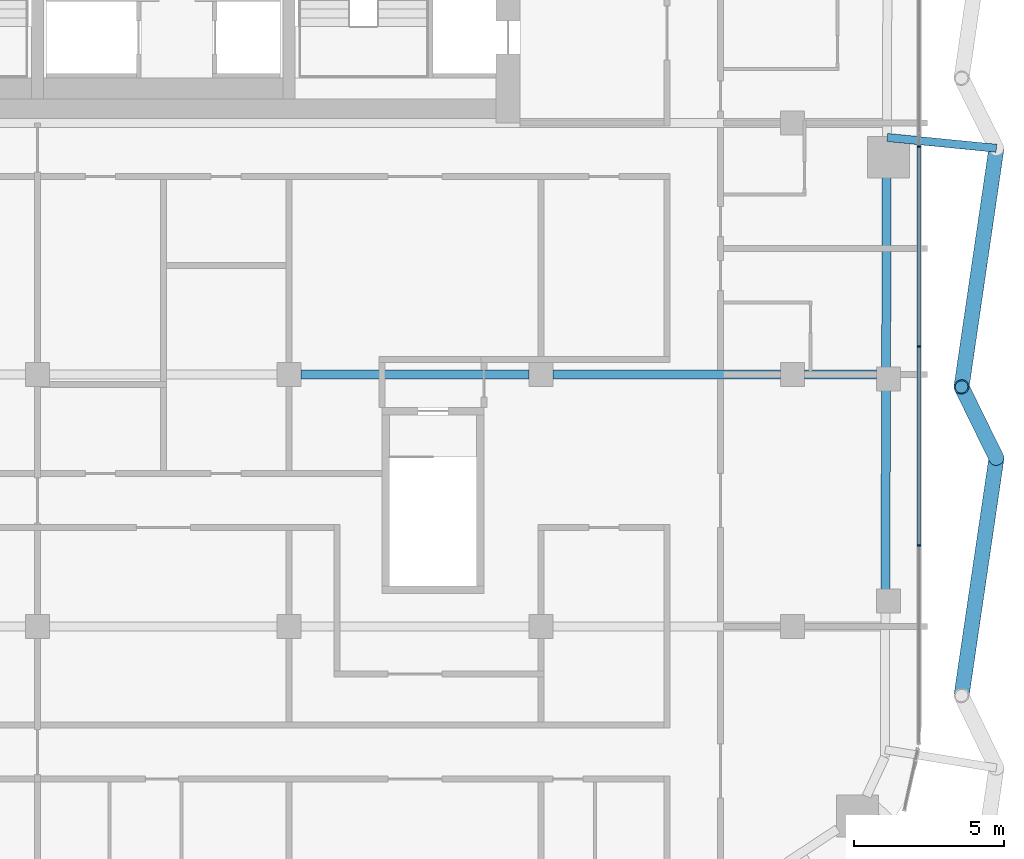
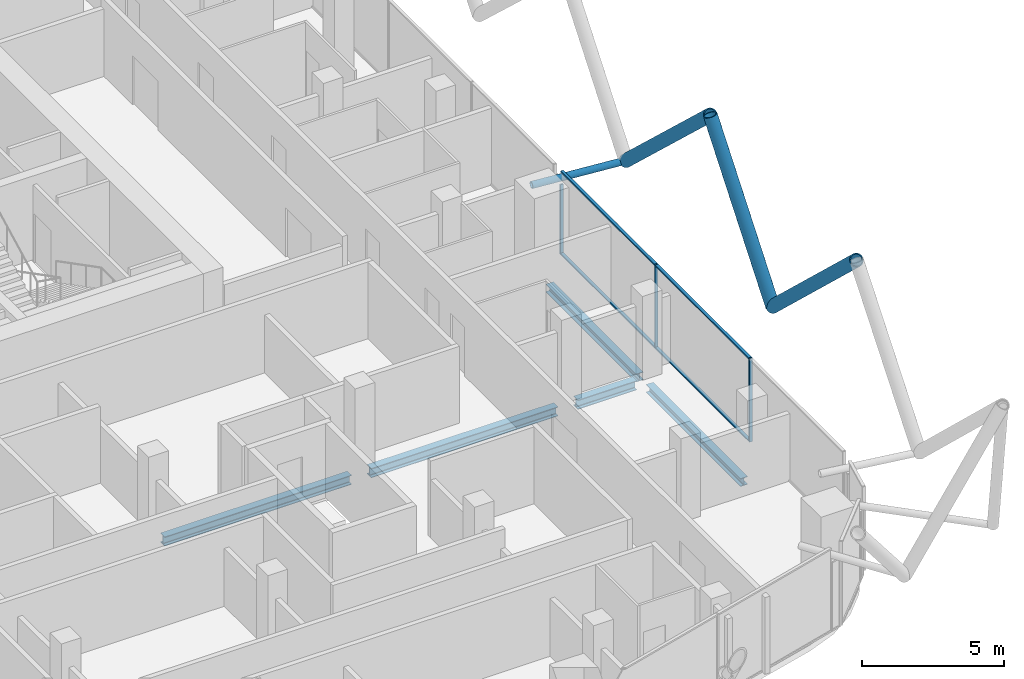
# One storey, part 7 of 33: 11 members, 5 beams, 2 elements without a shape of their own.
"""IFC4 building model written with IfcOpenShell, lengths in metres."""

from ifc_helpers import new_model, si_unit, direction, frame, origin, origin_2d, place, context, subcontext, project, spatial, rectangle, hollow_circle, i_section, extrude, material, layer, layer_set, material_profile, profile_set, type_object, element, aggregate, save


model = new_model("IFC4")

# Units and contexts
model_context = context("Model", 3, precision=1e-05, world=origin(), true_north=direction((0.0, 1.0)))
body_context = subcontext(model_context, "Body", "Model", "MODEL_VIEW")
ifc_project = project(units=[si_unit("LENGTHUNIT", "METRE"), si_unit("AREAUNIT", "SQUARE_METRE"), si_unit("VOLUMEUNIT", "CUBIC_METRE"), si_unit("PLANEANGLEUNIT", "RADIAN"), si_unit("MASSUNIT", "GRAM", prefix="KILO")], contexts=[model_context])

# Site, building, storey
site_placement = place(None, origin())
site = spatial("IfcSite", under=ifc_project, at=site_placement, CompositionType="ELEMENT")
building_placement = place(site_placement, origin())
building = spatial("IfcBuilding", under=site, at=building_placement, Name="Marenta Gate Hotel Tower", CompositionType="ELEMENT")
storey_placement = place(building_placement, frame((0.0, 0.0, 248.89990234375)))
storey = spatial("IfcBuildingStorey", under=building, at=storey_placement, Name="L59", CompositionType="ELEMENT", Elevation=248.89990234375)

# Members
ifc_material_1 = material(Name="Steel S355J2W", Category="steel")
ifc_material_profile_1 = material_profile(ifc_material_1, hollow_circle(Radius=0.25390625, WallThickness=0.0400390625, at=origin_2d()), Name="CHS 508x40")
ifc_profile_set_1 = profile_set([ifc_material_profile_1], Name="Steel S355J2W")
member_type_1 = type_object("IfcMemberType", Name="Diagrid diagonal T3 CHS 508x40", PredefinedType="BRACE", material=ifc_profile_set_1)
member_1_placement = place(storey_placement, frame((27.800048828125, -0.85009765625, 3.14013671875), z_axis=(-0.10789052731, -0.737417736538, 0.666764363142), x_axis=(0.989465728106, -0.144767306062, 0.0)))
element("IfcMember", 1, at=member_1_placement, inside=storey, type_object=member_type_1, Name="L59-DG-6", PredefinedType="BRACE", context=body_context, shape_type="SweptSolid", body=[
    extrude(hollow_circle(Radius=0.25390625, WallThickness=0.0400390625, at=origin_2d()), origin(), (0.0, 0.0, 1.0), 10.79833984375),
])
member_2_placement = place(storey_placement, frame((27.800048828125, -11.190185546875, 3.14013671875), z_axis=(-0.151871336562, 0.30988499667, 0.938566132976), x_axis=(-0.89795859702, -0.440079945053, 0.0)))
element("IfcMember", 2, at=member_2_placement, inside=storey, type_object=member_type_1, Name="L59-DG-7", PredefinedType="BRACE", context=body_context, shape_type="SweptSolid", body=[
    extrude(hollow_circle(Radius=0.25390625, WallThickness=0.0400390625, at=origin_2d()), origin(), (0.0, 0.0, 1.0), 7.671142578125),
])
member_3_placement = place(storey_placement, frame((27.800048828125, -11.190185546875, 3.14013671875), z_axis=(-0.108191409694, -0.735687982643, 0.668623818797), x_axis=(0.989358748109, -0.145496623809, 0.0)))
element("IfcMember", 3, at=member_3_placement, inside=storey, type_object=member_type_1, Name="L59-DG-8", PredefinedType="BRACE", context=body_context, shape_type="SweptSolid", body=[
    extrude(hollow_circle(Radius=0.25390625, WallThickness=0.0400390625, at=origin_2d()), origin(), (0.0, 0.0, 1.0), 10.768310546875),
])

# Beams
ifc_material_2 = material(Name="Steel S355", Category="steel")
ifc_material_profile_2 = material_profile(ifc_material_2, i_section(OverallWidth=0.300048828125, OverallDepth=0.340087890625, WebThickness=0.011962890625, FlangeThickness=0.021484375, FilletRadius=0.027099609375, at=origin_2d()), Name="HEB 340")
ifc_profile_set_2 = profile_set([ifc_material_profile_2], Name="Steel S355")
beam_type_1 = type_object("IfcBeamType", Name="Edge beam HEB 340", PredefinedType="SPANDREL", material=ifc_profile_set_2)
beam_1_placement = place(storey_placement, frame((24.1396484375, -1.81005859375, -0.429931640625), z_axis=(-0.003328723523, -0.999994459785, 0.0), x_axis=(0.999994459785, -0.003328723523, 0.0)))
element("IfcBeam", 4, at=beam_1_placement, inside=storey, type_object=beam_type_1, Name="L59-EB-25", PredefinedType="SPANDREL", context=body_context, shape_type="SweptSolid", body=[
    extrude(i_section(OverallWidth=0.300048828125, OverallDepth=0.340087890625, WebThickness=0.011962890625, FlangeThickness=0.021484375, FilletRadius=0.027099609375, at=origin_2d()), origin(), (0.0, 0.0, 1.0), 6.380859375),
])
beam_2_placement = place(storey_placement, frame((24.115966796875, -8.910888671875, -0.429931640625), z_axis=(-0.00332539729, -0.999994470851, 0.0), x_axis=(0.999994470851, -0.00332539729, 0.0)))
element("IfcBeam", 5, at=beam_2_placement, inside=storey, type_object=beam_type_1, Name="L59-EB-26", PredefinedType="SPANDREL", context=body_context, shape_type="SweptSolid", body=[
    extrude(i_section(OverallWidth=0.300048828125, OverallDepth=0.340087890625, WebThickness=0.011962890625, FlangeThickness=0.021484375, FilletRadius=0.027099609375, at=origin_2d()), origin(), (0.0, 0.0, 1.0), 6.680908203125),
])

# Member
ifc_material_3 = material(Name="Steel S355J2W", Category="steel")
ifc_material_profile_3 = material_profile(ifc_material_3, hollow_circle(Radius=0.136474609375, WallThickness=0.012451171875, at=origin_2d()), Name="CHS 273x12.5")
ifc_profile_set_3 = profile_set([ifc_material_profile_3], Name="Steel S355J2W")
member_type_2 = type_object("IfcMemberType", Name="Floor tie CHS 273x12.5", PredefinedType="STRUT", material=ifc_profile_set_3)
member_4_placement = place(storey_placement, frame((27.800048828125, -0.85009765625, 3.14013671875), z_axis=(-0.995184080889, 0.09802369685, 0.0), x_axis=(-0.09802369685, -0.995184080889, 0.0)))
element("IfcMember", 6, at=member_4_placement, inside=storey, type_object=member_type_2, Name="L59-DR-9", PredefinedType="STRUT", context=body_context, shape_type="SweptSolid", body=[
    extrude(hollow_circle(Radius=0.136474609375, WallThickness=0.012451171875, at=origin_2d()), origin(), (0.0, 0.0, 1.0), 3.65869140625),
])

# Beams
ifc_material_4 = material(Name="Steel S355", Category="steel")
ifc_material_profile_4 = material_profile(ifc_material_4, i_section(OverallWidth=0.300048828125, OverallDepth=0.39990234375, WebThickness=0.013427734375, FlangeThickness=0.02392578125, FilletRadius=0.027099609375, at=origin_2d()), Name="HEB 400")
ifc_profile_set_4 = profile_set([ifc_material_profile_4], Name="Steel S355")
beam_type_2 = type_object("IfcBeamType", Name="Girder HEB 400", PredefinedType="BEAM", material=ifc_profile_set_4)
beam_3_placement = place(storey_placement, frame((4.60009765625, -8.39990234375, -0.4599609375), z_axis=(1.0, 0.0, 0.0), x_axis=(0.0, 1.0, 0.0)))
element("IfcBeam", 7, at=beam_3_placement, inside=storey, type_object=beam_type_2, Name="L59-GD-17", PredefinedType="BEAM", context=body_context, shape_type="SweptSolid", body=[
    extrude(i_section(OverallWidth=0.300048828125, OverallDepth=0.39990234375, WebThickness=0.013427734375, FlangeThickness=0.02392578125, FilletRadius=0.027099609375, at=origin_2d()), origin(), (0.0, 0.0, 1.0), 7.599853515625),
])
beam_4_placement = place(storey_placement, frame((13.0, -8.39990234375, -0.4599609375), z_axis=(1.0, 0.0, 0.0), x_axis=(0.0, 1.0, 0.0)))
element("IfcBeam", 8, at=beam_4_placement, inside=storey, type_object=beam_type_2, Name="L59-GD-18", PredefinedType="BEAM", context=body_context, shape_type="SweptSolid", body=[
    extrude(i_section(OverallWidth=0.300048828125, OverallDepth=0.39990234375, WebThickness=0.013427734375, FlangeThickness=0.02392578125, FilletRadius=0.027099609375, at=origin_2d()), origin(), (0.0, 0.0, 1.0), 7.60009765625),
])
beam_5_placement = place(storey_placement, frame((21.39990234375, -8.39990234375, -0.4599609375), z_axis=(1.0, 0.0, 0.0), x_axis=(0.0, 1.0, 0.0)))
element("IfcBeam", 9, at=beam_5_placement, inside=storey, type_object=beam_type_2, Name="L59-GD-19", PredefinedType="BEAM", context=body_context, shape_type="SweptSolid", body=[
    extrude(i_section(OverallWidth=0.300048828125, OverallDepth=0.39990234375, WebThickness=0.013427734375, FlangeThickness=0.02392578125, FilletRadius=0.027099609375, at=origin_2d()), origin(), (0.0, 0.0, 1.0), 2.400146484375),
])

# Curtain wall, members
ifc_material_5 = material(Name="Tinted insulated glass in bronze anodised frame", Category="glass")
ifc_layer = layer(ifc_material_5, 0.1201171875)
ifc_layer_set = layer_set([ifc_layer], Name="Tinted insulated glass in bronze anodised frame")
curtain_wall_type = type_object("IfcCurtainWallType", Name="Tower unitised curtain wall CW1", PredefinedType="NOTDEFINED", material=ifc_layer_set)
curtain_wall_1_placement = place(storey_placement, origin())
curtain_wall_1 = element("IfcCurtainWall", 10, at=curtain_wall_1_placement, inside=storey, type_object=curtain_wall_type, Name="CW1 run G32", PredefinedType="NOTDEFINED")
ifc_material_6 = material(Name="Bronze anodised aluminium", Category="aluminium")
ifc_material_profile_5 = material_profile(ifc_material_6, rectangle(XDim=0.1201171875, YDim=0.06005859375, at=origin_2d()), Name="Mullion CW1 60x120 bronze anodised aluminium")
ifc_profile_set_5 = profile_set([ifc_material_profile_5], Name="Bronze anodised aluminium")
member_type_3 = type_object("IfcMemberType", Name="Mullion CW1 60x120 bronze anodised aluminium", PredefinedType="MULLION", material=ifc_profile_set_5)
member_5_placement = place(storey_placement, frame((25.214111328125, -14.103515625, 0.0), z_axis=(0.0, 0.0, 1.0), x_axis=(-1.0, 0.0, 0.0)))
member_5 = element("IfcMember", 11, at=member_5_placement, type_object=member_type_3, Name="CW1 mullion 2", PredefinedType="MULLION", context=body_context, shape_type="SweptSolid", body=[
    extrude(rectangle(XDim=0.1201171875, YDim=0.06005859375, at=origin_2d()), origin(), (0.0, 0.0, 1.0), 3.60009765625),
])
member_6_placement = place(storey_placement, frame((25.214111328125, -7.46337890625, 0.0), z_axis=(0.0, 0.0, 1.0), x_axis=(-1.0, 0.0, 0.0)))
member_6 = element("IfcMember", 12, at=member_6_placement, type_object=member_type_3, Name="CW1 mullion 3", PredefinedType="MULLION", context=body_context, shape_type="SweptSolid", body=[
    extrude(rectangle(XDim=0.1201171875, YDim=0.06005859375, at=origin_2d()), origin(), (0.0, 0.0, 1.0), 3.60009765625),
])

# Curtain wall, member
curtain_wall_2_placement = place(storey_placement, origin())
curtain_wall_2 = element("IfcCurtainWall", 13, at=curtain_wall_2_placement, inside=storey, type_object=curtain_wall_type, Name="CW1 run G33", PredefinedType="NOTDEFINED")
member_7_placement = place(storey_placement, frame((25.214111328125, -0.79296875, 0.0), z_axis=(0.0, 0.0, 1.0), x_axis=(-1.0, 0.0, 0.0)))
member_7 = element("IfcMember", 14, at=member_7_placement, type_object=member_type_3, Name="CW1 mullion 1", PredefinedType="MULLION", context=body_context, shape_type="SweptSolid", body=[
    extrude(rectangle(XDim=0.1201171875, YDim=0.06005859375, at=origin_2d()), origin(), (0.0, 0.0, 1.0), 3.00048828125),
])
aggregate(curtain_wall_2, [member_7])

# Member
ifc_material_7 = material(Name="Bronze anodised aluminium", Category="aluminium")
ifc_material_profile_6 = material_profile(ifc_material_7, rectangle(XDim=0.1201171875, YDim=0.06005859375, at=origin_2d()), Name="Transom CW1 60x120 bronze anodised aluminium")
ifc_profile_set_6 = profile_set([ifc_material_profile_6], Name="Bronze anodised aluminium")
member_type_4 = type_object("IfcMemberType", Name="Transom CW1 60x120 bronze anodised aluminium", PredefinedType="USERDEFINED", material=ifc_profile_set_6)
member_8_placement = place(storey_placement, frame((25.214111328125, -14.073486328125, 0.030029296875), z_axis=(0.0, 1.0, 0.0), x_axis=(-1.0, 0.0, 0.0)))
member_8 = element("IfcMember", 15, at=member_8_placement, type_object=member_type_4, Name="CW1 transom 2.1", ObjectType="TRANSOM", PredefinedType="USERDEFINED", context=body_context, shape_type="SweptSolid", body=[
    extrude(rectangle(XDim=0.1201171875, YDim=0.06005859375, at=origin_2d()), origin(), (0.0, 0.0, 1.0), 6.580078125),
])

member_9_placement = place(storey_placement, frame((25.214111328125, -14.073486328125, 3.570068359375), z_axis=(0.0, 1.0, 0.0), x_axis=(-1.0, 0.0, 0.0)))
member_9 = element("IfcMember", 16, at=member_9_placement, type_object=member_type_4, Name="CW1 transom 2.2", ObjectType="TRANSOM", PredefinedType="USERDEFINED", context=body_context, shape_type="SweptSolid", body=[
    extrude(rectangle(XDim=0.1201171875, YDim=0.06005859375, at=origin_2d()), origin(), (0.0, 0.0, 1.0), 6.580078125),
])

member_10_placement = place(storey_placement, frame((25.214111328125, -7.433349609375, 0.030029296875), z_axis=(0.0, 1.0, 0.0), x_axis=(-1.0, 0.0, 0.0)))
member_10 = element("IfcMember", 17, at=member_10_placement, type_object=member_type_4, Name="CW1 transom 3.1", ObjectType="TRANSOM", PredefinedType="USERDEFINED", context=body_context, shape_type="SweptSolid", body=[
    extrude(rectangle(XDim=0.1201171875, YDim=0.06005859375, at=origin_2d()), origin(), (0.0, 0.0, 1.0), 6.6103515625),
])

member_11_placement = place(storey_placement, frame((25.214111328125, -7.433349609375, 3.570068359375), z_axis=(0.0, 1.0, 0.0), x_axis=(-1.0, 0.0, 0.0)))
member_11 = element("IfcMember", 18, at=member_11_placement, type_object=member_type_4, Name="CW1 transom 3.2", ObjectType="TRANSOM", PredefinedType="USERDEFINED", context=body_context, shape_type="SweptSolid", body=[
    extrude(rectangle(XDim=0.1201171875, YDim=0.06005859375, at=origin_2d()), origin(), (0.0, 0.0, 1.0), 6.6103515625),
])

aggregate(curtain_wall_1, [member_5, member_6, member_8, member_9, member_10, member_11])

save(model, "model.ifc")
